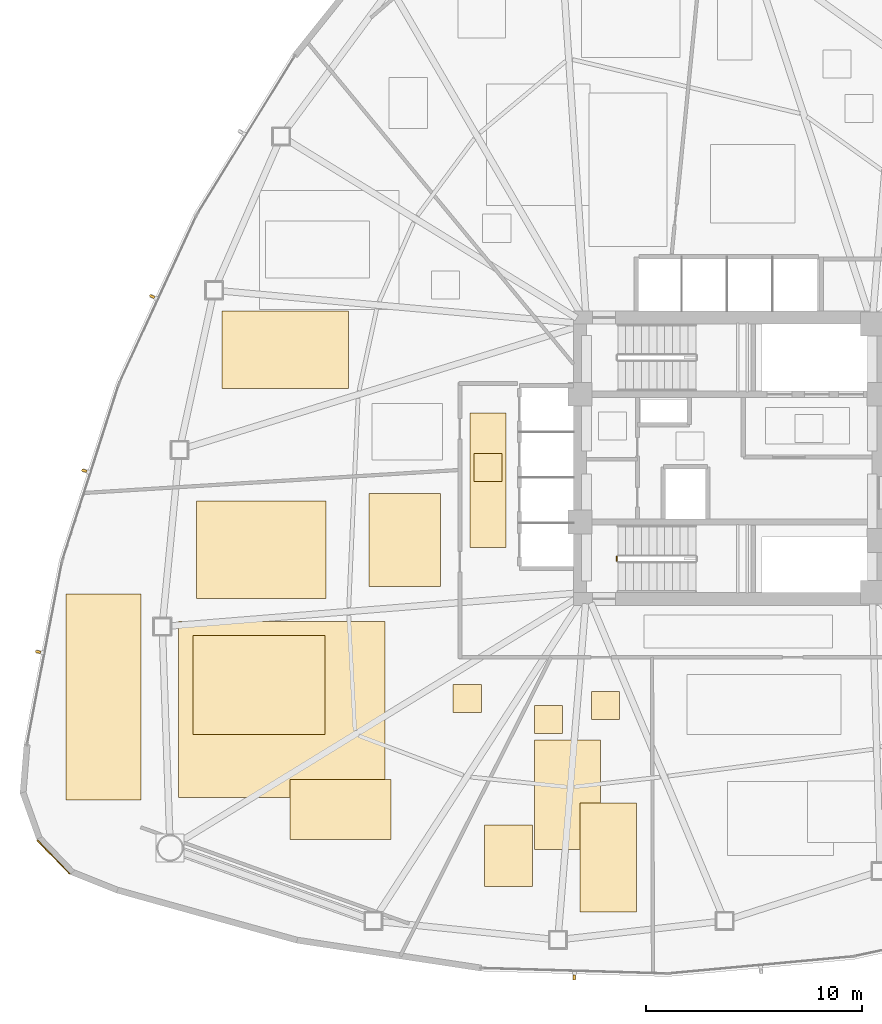
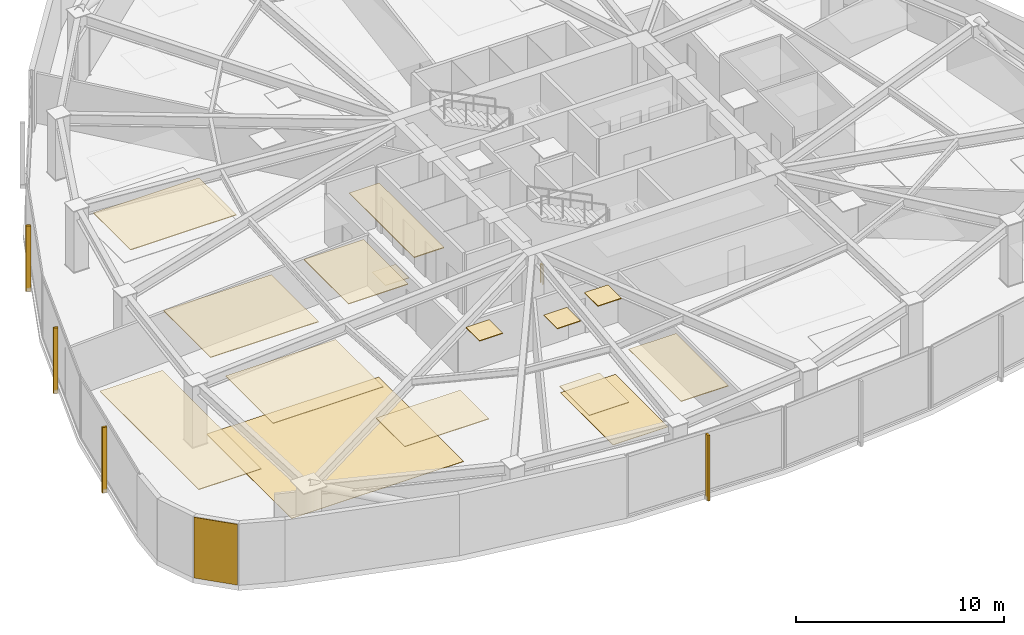
# One storey, part 13 of 16: 16 coverings, 4 shading devices, 1 railing.
"""IFC4 building model written with IfcOpenShell, lengths in metres."""

from ifc_helpers import new_model, si_unit, direction, frame, origin, origin_2d, place, context, subcontext, project, spatial, polyline, rectangle, outline, extrude, source, transform, mapped, material, layer, layer_set, type_object, type_shapes, element, save


model = new_model("IFC4")

# Units and contexts
model_context = context("Model", 3, precision=1e-05, world=origin(), true_north=direction((0.0, 1.0)))
body_context = subcontext(model_context, "Body", "Model", "MODEL_VIEW")
ifc_project = project(units=[si_unit("LENGTHUNIT", "METRE"), si_unit("AREAUNIT", "SQUARE_METRE"), si_unit("VOLUMEUNIT", "CUBIC_METRE"), si_unit("PLANEANGLEUNIT", "RADIAN"), si_unit("MASSUNIT", "GRAM", prefix="KILO")], contexts=[model_context])

# Site, building, storey
site_placement = place(None, origin())
site = spatial("IfcSite", under=ifc_project, at=site_placement, CompositionType="ELEMENT")
building_placement = place(site_placement, origin())
building = spatial("IfcBuilding", under=site, at=building_placement, Name="Tavelor Broadcast Tower", CompositionType="ELEMENT")
storey_placement = place(building_placement, frame((0.0, 0.0, 31.5)))
storey = spatial("IfcBuildingStorey", under=building, at=storey_placement, Name="L06", CompositionType="ELEMENT", Elevation=31.5)

# Coverings
ifc_material_1 = material(Name="Copper-Bronze Anodized Aluminium", Category="aluminium")
ifc_layer_1 = layer(ifc_material_1, 0.044921875)
ifc_layer_set_1 = layer_set([ifc_layer_1], Name="Copper-Bronze Anodized Aluminium")
covering_type_1 = type_object("IfcCoveringType", Name="Anodised Bronze Linear Slatted Concourse Ceiling 45 mm", PredefinedType="CEILING", material=ifc_layer_set_1)
covering_1_placement = place(storey_placement, frame((0.0, 0.0, 3.554931640625)))
element("IfcCovering", 1, at=covering_1_placement, inside=storey, type_object=covering_type_1, Name="L06 Suspended Acoustic Ceiling 0166", PredefinedType="CEILING", context=body_context, shape_type="SweptSolid", body=[
    extrude(outline(polyline([(38.01611328125, 40.868896484375), (39.683837890625, 40.868896484375), (39.683837890625, 47.096923828125), (38.01611328125, 47.096923828125), (38.01611328125, 40.868896484375)])), origin(), (0.0, 0.0, 1.0), 0.045166015625),
])
ifc_layer_2 = layer(ifc_material_1, 0.050048828125)
ifc_layer_set_2 = layer_set([ifc_layer_2], Name="Copper-Bronze Anodized Aluminium")
covering_type_2 = type_object("IfcCoveringType", Name="Champagne-Bronze Corner Pier Metal Cladding 50 mm", PredefinedType="CLADDING", material=ifc_layer_set_2)
covering_2_placement = place(storey_placement, frame((18.771484375, 26.56494140625, 0.02001953125), z_axis=(0.0, 0.0, 1.0), x_axis=(0.694030363635, -0.719945730144, 0.0)))
element("IfcCovering", 2, at=covering_2_placement, inside=storey, type_object=covering_type_2, Name="L06 Champagne-Bronze Corner Cladding 13", PredefinedType="CLADDING", context=body_context, shape_type="SweptSolid", body=[
    extrude(rectangle(XDim=2.168701171875, YDim=0.050048828125, at=origin_2d()), origin(), (0.0, 0.0, 1.0), 3.56005859375),
])
ifc_material_2 = material(Name="Acoustic Nylon Carpet Tile")
ifc_layer_3 = layer(ifc_material_2, 0.02001953125)
ifc_layer_set_3 = layer_set([ifc_layer_3], Name="Acoustic Nylon Carpet Tile")
covering_type_3 = type_object("IfcCoveringType", Name="Heavy-Duty Acoustic Broadcast Carpet Tile 20 mm", PredefinedType="FLOORING", material=ifc_layer_set_3)
covering_3_placement = place(storey_placement, origin())
element("IfcCovering", 3, at=covering_3_placement, inside=storey, type_object=covering_type_3, Name="L06 Broadcast Floor Finish 0067", PredefinedType="FLOORING", context=body_context, shape_type="SweptSolid", body=[
    extrude(outline(polyline([(40.99462890625, 26.917236328125), (44.045654296875, 26.917236328125), (44.045654296875, 31.978515625), (40.99462890625, 31.978515625), (40.99462890625, 26.917236328125)])), origin(), (0.0, 0.0, 1.0), 0.02001953125),
])
covering_4_placement = place(storey_placement, origin())
element("IfcCovering", 4, at=covering_4_placement, inside=storey, type_object=covering_type_3, Name="L06 Broadcast Floor Finish 0068", PredefinedType="FLOORING", context=body_context, shape_type="SweptSolid", body=[
    extrude(outline(polyline([(24.547119140625, 29.31494140625), (34.098876953125, 29.31494140625), (34.098876953125, 37.4599609375), (24.547119140625, 37.4599609375), (24.547119140625, 29.31494140625)])), origin(), (0.0, 0.0, 1.0), 0.02001953125),
])
ifc_material_3 = material(Name="Honed Natural Limestone Tile", Category="masonry")
ifc_layer_4 = layer(ifc_material_3, 0.030029296875)
ifc_layer_set_4 = layer_set([ifc_layer_4], Name="Honed Natural Limestone Tile")
covering_type_4 = type_object("IfcCoveringType", Name="Honed Jerusalem Limestone Concourse Flooring 30 mm", PredefinedType="FLOORING", material=ifc_layer_set_4)
covering_5_placement = place(storey_placement, origin())
element("IfcCovering", 5, at=covering_5_placement, inside=storey, type_object=covering_type_4, Name="L06 Broadcast Floor Finish 0063", PredefinedType="FLOORING", context=body_context, shape_type="SweptSolid", body=[
    extrude(outline(polyline([(38.199951171875, 43.925048828125), (39.5, 43.925048828125), (39.5, 45.22509765625), (38.199951171875, 45.22509765625), (38.199951171875, 43.925048828125)])), origin(), (0.0, 0.0, 1.0), 0.030029296875),
])

# Railing
ifc_material_4 = material(Name="Steel S355", Category="steel")
railing_type = type_object("IfcRailingType", Name="Stairwell Steel Safety Guardrail 1150 mm", PredefinedType="GUARDRAIL", material=ifc_material_4)
railing_placement = place(storey_placement, frame((44.800048828125, 40.25, 0.0)))
element("IfcRailing", 6, at=railing_placement, inside=storey, type_object=railing_type, Name="L06 ST2 stair guard 4", PredefinedType="GUARDRAIL", context=body_context, shape_type="SweptSolid", body=[
    extrude(rectangle(XDim=0.048095703125, YDim=0.048095703125, at=origin_2d()), frame((0.0, 0.0, 1.1259765625), z_axis=(0.0, 1.0, 0.0), x_axis=(-1.0, 0.0, 0.0)), (0.0, 0.0, 1.0), 0.199951171875),
    extrude(rectangle(XDim=0.0419921875, YDim=0.0419921875, at=origin_2d()), origin(), (0.0, 0.0, 1.0), 1.101806640625),
    extrude(rectangle(XDim=0.0419921875, YDim=0.0419921875, at=origin_2d()), frame((0.0, 0.199951171875, 0.0)), (0.0, 0.0, 1.0), 1.101806640625),
])

# Coverings
ifc_material_5 = material(Name="Acoustic Mineral Fibre Tile")
ifc_layer_5 = layer(ifc_material_5, 0.0400390625)
ifc_layer_set_5 = layer_set([ifc_layer_5], Name="Acoustic Mineral Fibre Tile")
covering_type_5 = type_object("IfcCoveringType", Name="Suspended Acoustic Mineral-Fibre Office Ceiling 40 mm", PredefinedType="CEILING", material=ifc_layer_set_5)
covering_6_placement = place(storey_placement, frame((0.0, 0.0, 3.56005859375)))
element("IfcCovering", 7, at=covering_6_placement, inside=storey, type_object=covering_type_5, Name="L06 Suspended Acoustic Ceiling 0174", PredefinedType="CEILING", context=body_context, shape_type="SweptSolid", body=[
    extrude(outline(polyline([(38.6806640625, 25.205810546875), (40.901123046875, 25.205810546875), (40.901123046875, 28.044677734375), (38.6806640625, 28.044677734375), (38.6806640625, 25.205810546875)])), origin(), (0.0, 0.0, 1.0), 0.0400390625),
])
covering_7_placement = place(storey_placement, frame((0.0, 0.0, 3.56005859375)))
element("IfcCovering", 8, at=covering_7_placement, inside=storey, type_object=covering_type_5, Name="L06 Suspended Acoustic Ceiling 0175", PredefinedType="CEILING", context=body_context, shape_type="SweptSolid", body=[
    extrude(outline(polyline([(40.989013671875, 32.272216796875), (42.288818359375, 32.272216796875), (42.288818359375, 33.572265625), (40.989013671875, 33.572265625), (40.989013671875, 32.272216796875)])), origin(), (0.0, 0.0, 1.0), 0.0400390625),
])
covering_8_placement = place(storey_placement, frame((0.0, 0.0, 3.56005859375)))
element("IfcCovering", 9, at=covering_8_placement, inside=storey, type_object=covering_type_5, Name="L06 Suspended Acoustic Ceiling 0176", PredefinedType="CEILING", context=body_context, shape_type="SweptSolid", body=[
    extrude(outline(polyline([(43.62451171875, 32.9248046875), (44.924560546875, 32.9248046875), (44.924560546875, 34.224609375), (43.62451171875, 34.224609375), (43.62451171875, 32.9248046875)])), origin(), (0.0, 0.0, 1.0), 0.0400390625),
])
covering_9_placement = place(storey_placement, frame((0.0, 0.0, 3.56005859375)))
element("IfcCovering", 10, at=covering_9_placement, inside=storey, type_object=covering_type_5, Name="L06 Suspended Acoustic Ceiling 0177", PredefinedType="CEILING", context=body_context, shape_type="SweptSolid", body=[
    extrude(outline(polyline([(43.09814453125, 24.02294921875), (45.71728515625, 24.02294921875), (45.71728515625, 29.062744140625), (43.09814453125, 29.062744140625), (43.09814453125, 24.02294921875)])), origin(), (0.0, 0.0, 1.0), 0.0400390625),
])
covering_10_placement = place(storey_placement, frame((0.0, 0.0, 3.56005859375)))
element("IfcCovering", 11, at=covering_10_placement, inside=storey, type_object=covering_type_5, Name="L06 Suspended Acoustic Ceiling 0178", PredefinedType="CEILING", context=body_context, shape_type="SweptSolid", body=[
    extrude(outline(polyline([(29.708740234375, 27.378173828125), (34.37109375, 27.378173828125), (34.37109375, 30.14013671875), (29.708740234375, 30.14013671875), (29.708740234375, 27.378173828125)])), origin(), (0.0, 0.0, 1.0), 0.0400390625),
])
covering_11_placement = place(storey_placement, frame((0.0, 0.0, 3.56005859375)))
element("IfcCovering", 12, at=covering_11_placement, inside=storey, type_object=covering_type_5, Name="L06 Suspended Acoustic Ceiling 0179", PredefinedType="CEILING", context=body_context, shape_type="SweptSolid", body=[
    extrude(outline(polyline([(25.214111328125, 32.22314453125), (31.322021484375, 32.22314453125), (31.322021484375, 36.800048828125), (25.214111328125, 36.800048828125), (25.214111328125, 32.22314453125)])), origin(), (0.0, 0.0, 1.0), 0.0400390625),
])
covering_12_placement = place(storey_placement, frame((0.0, 0.0, 3.56005859375)))
element("IfcCovering", 13, at=covering_12_placement, inside=storey, type_object=covering_type_5, Name="L06 Suspended Acoustic Ceiling 0180", PredefinedType="CEILING", context=body_context, shape_type="SweptSolid", body=[
    extrude(outline(polyline([(19.3544921875, 29.212646484375), (22.8232421875, 29.212646484375), (22.8232421875, 38.714111328125), (19.3544921875, 38.714111328125), (19.3544921875, 29.212646484375)])), origin(), (0.0, 0.0, 1.0), 0.0400390625),
])
covering_13_placement = place(storey_placement, frame((0.0, 0.0, 3.56005859375)))
element("IfcCovering", 14, at=covering_13_placement, inside=storey, type_object=covering_type_5, Name="L06 Suspended Acoustic Ceiling 0181", PredefinedType="CEILING", context=body_context, shape_type="SweptSolid", body=[
    extrude(outline(polyline([(25.375, 38.505615234375), (31.357421875, 38.505615234375), (31.357421875, 43.031005859375), (25.375, 43.031005859375), (25.375, 38.505615234375)])), origin(), (0.0, 0.0, 1.0), 0.0400390625),
])
covering_14_placement = place(storey_placement, frame((0.0, 0.0, 3.56005859375)))
element("IfcCovering", 15, at=covering_14_placement, inside=storey, type_object=covering_type_5, Name="L06 Suspended Acoustic Ceiling 0182", PredefinedType="CEILING", context=body_context, shape_type="SweptSolid", body=[
    extrude(outline(polyline([(33.345703125, 39.077880859375), (36.65869140625, 39.077880859375), (36.65869140625, 43.369873046875), (33.345703125, 43.369873046875), (33.345703125, 39.077880859375)])), origin(), (0.0, 0.0, 1.0), 0.0400390625),
])
covering_15_placement = place(storey_placement, frame((0.0, 0.0, 3.56005859375)))
element("IfcCovering", 16, at=covering_15_placement, inside=storey, type_object=covering_type_5, Name="L06 Suspended Acoustic Ceiling 0183", PredefinedType="CEILING", context=body_context, shape_type="SweptSolid", body=[
    extrude(outline(polyline([(37.24169921875, 33.247314453125), (38.541748046875, 33.247314453125), (38.541748046875, 34.547119140625), (37.24169921875, 34.547119140625), (37.24169921875, 33.247314453125)])), origin(), (0.0, 0.0, 1.0), 0.0400390625),
])
covering_16_placement = place(storey_placement, frame((0.0, 0.0, 3.56005859375)))
element("IfcCovering", 17, at=covering_16_placement, inside=storey, type_object=covering_type_5, Name="L06 Suspended Acoustic Ceiling 0187", PredefinedType="CEILING", context=body_context, shape_type="SweptSolid", body=[
    extrude(outline(polyline([(26.545166015625, 48.227294921875), (32.4091796875, 48.227294921875), (32.4091796875, 51.79833984375), (26.545166015625, 51.79833984375), (26.545166015625, 48.227294921875)])), origin(), (0.0, 0.0, 1.0), 0.0400390625),
])

# Shading devices
ifc_material_6 = material(Name="Kiln-Fired Glazed Terracotta", Category="masonry")
shading_device_type = type_object("IfcShadingDeviceType", Name="Extruded Terracotta Baguette Sun-Screen 110x240", PredefinedType="JALOUSIE", material=ifc_material_6)
shared_shape = source(origin(), body_context, "Body", "SweptSolid", [
    extrude(rectangle(XDim=0.110107421875, YDim=0.239990234375, at=origin_2d()), origin(), (0.0, 0.0, 1.0), 3.840087890625),
])
type_shapes(shading_device_type, [shared_shape])
for number, where, z_axis, x_axis, name in (
    (18, (23.323486328125, 52.472412109375, -0.26025390625), (0.0, 0.0, 1.0), (-0.418184177516, -0.908362259055, 0.0), "L06 Terracotta Baguette Fin 26"),
    (19, (20.192626953125, 44.421142578125, -0.26025390625), (0.0, 0.0, 1.0), (-0.305196729298, -0.952289323906, 0.0), "L06 Terracotta Baguette Fin 27"),
    (20, (18.05908203125, 36.050048828125, -0.26025390625), (0.0, 0.0, 1.0), (-0.187724186097, -0.982221782468, 0.0), "L06 Terracotta Baguette Fin 28"),
    (21, (42.83251953125, 21.007568359375, -0.26025390625), (0.0, 0.0, 1.0), (0.999570154695, -0.029317330072, 0.0), "L06 Terracotta Baguette Fin 29"),
):
    element("IfcShadingDevice", number, at=place(storey_placement, frame(where, z_axis=z_axis, x_axis=x_axis)), inside=storey, type_object=shading_device_type, Name=name, PredefinedType="JALOUSIE", context=body_context, shape_type="MappedRepresentation", body=[
        mapped(shared_shape, transform((0.0, 0.0, 0.0), scale=1.0)),
    ])

save(model, "model.ifc")
